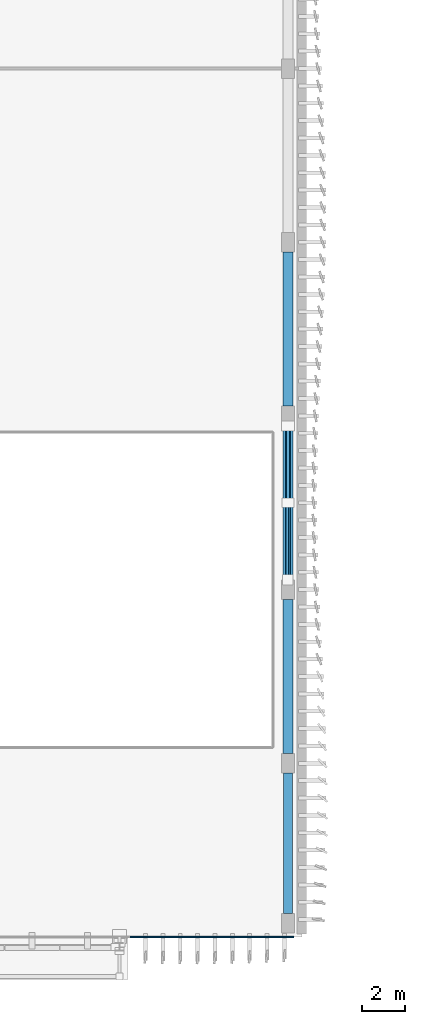
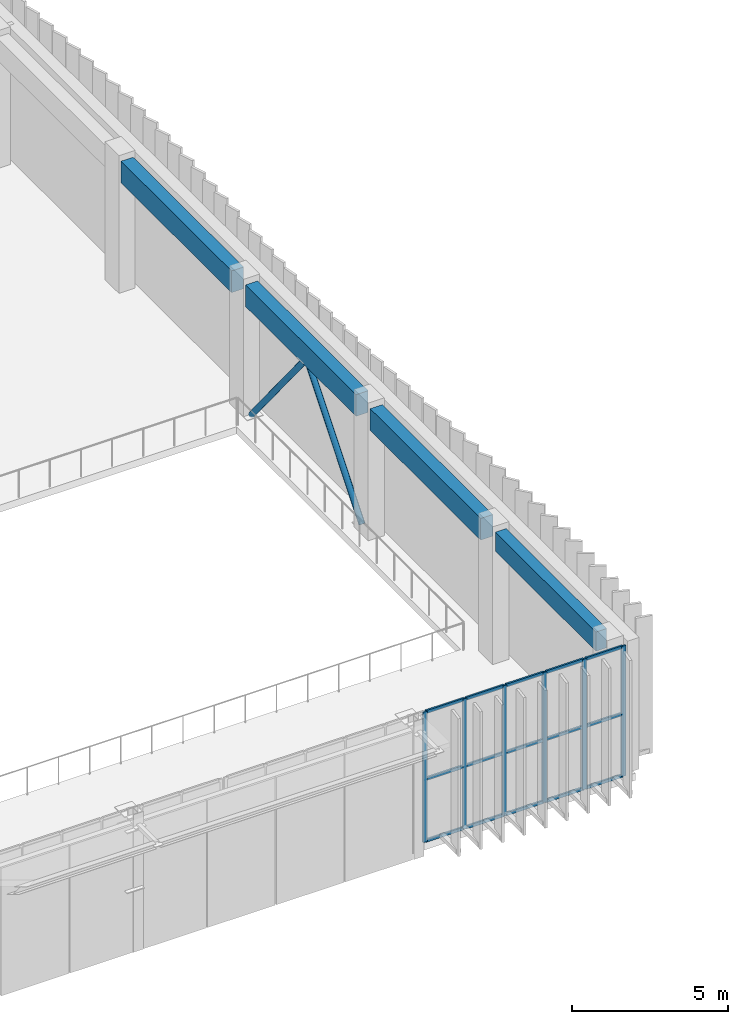
# One storey, part 7 of 64: 23 members, 4 beams, 1 element without a shape of its own.
"""IFC4 building model written with IfcOpenShell, lengths in metres."""

import ifcopenshell
import ifcopenshell.guid

model = None  # the IFC model being written
_history = None  # IfcOwnerHistory: only IFC2X3 demands one
_inside = {}  # id of a spatial element -> (the spatial element, [elements in it])
_under = {}  # id of a project, library or spatial element -> (it, [spatial elements below it])
_declared = {}  # id of a project -> (the project, [libraries it declares])
_typed = {}  # id of a type object -> (the type object, [elements of that type])
_made_of = {}  # id of a material, layer set ... -> (it, [elements and type objects made of it])


def new_model(schema):
    """Start an empty IFC model of exactly this schema.

    Asked for "IFC4X3", IfcOpenShell would pick the latest addendum, in which some entities
    have other attributes; the version numbers below select the first issue.
    IFC2X3 requires an IfcOwnerHistory on every rooted entity: one is made here for all.
    """
    global model, _history
    if schema == "IFC4X3":
        model = ifcopenshell.file(schema_version=(4, 3, 0, 0))
    else:
        model = ifcopenshell.file(schema=schema)
    _inside.clear()
    _under.clear()
    _declared.clear()
    _typed.clear()
    _made_of.clear()
    _history = None
    if model.schema == "IFC2X3":
        org = make("IfcOrganization", Name="unknown")
        user = make(
            "IfcPersonAndOrganization",
            ThePerson=make("IfcPerson", FamilyName="unknown"),
            TheOrganization=org,
        )
        app = make(
            "IfcApplication",
            ApplicationDeveloper=org,
            Version="unknown",
            ApplicationFullName="unknown",
            ApplicationIdentifier="unknown",
        )
        _history = make(
            "IfcOwnerHistory",
            OwningUser=user,
            OwningApplication=app,
            ChangeAction="ADDED",
            CreationDate=0,
        )
    return model


def make(cls, **values):
    """One entity of the class cls with the attributes given. An attribute that is None is left unset."""
    return model.create_entity(
        cls, **{name: value for name, value in values.items() if value is not None}
    )


def rooted(cls, **values):
    """An entity with a GlobalId (a new one), such as an element, a storey or a relation."""
    return make(cls, GlobalId=ifcopenshell.guid.new(), OwnerHistory=_history, **values)


def si_unit(unit_type, name, prefix=None):
    """IfcSIUnit, for example si_unit("LENGTHUNIT", "METRE", prefix="MILLI")."""
    return make("IfcSIUnit", UnitType=unit_type, Prefix=prefix, Name=name)


def assignment(units):
    """IfcUnitAssignment: the units of a project."""
    return None if units is None else make("IfcUnitAssignment", Units=units)


def point(xyz):
    """IfcCartesianPoint."""
    return None if xyz is None else make("IfcCartesianPoint", Coordinates=xyz)


def direction(xyz):
    """IfcDirection."""
    return None if xyz is None else make("IfcDirection", DirectionRatios=xyz)


def frame(location, z_axis=None, x_axis=None):
    """IfcAxis2Placement3D, a coordinate frame: its origin and axes. An axis left out is left unset."""
    return make(
        "IfcAxis2Placement3D",
        Location=point(location),
        Axis=direction(z_axis),
        RefDirection=direction(x_axis),
    )


def frame_2d(location, x_axis=None):
    """IfcAxis2Placement2D, a coordinate frame in the plane: its origin and x axis."""
    return make(
        "IfcAxis2Placement2D", Location=point(location), RefDirection=direction(x_axis)
    )


def origin():
    """The frame at (0, 0, 0) with its axes left unset."""
    return frame((0.0, 0.0, 0.0))


def origin_2d():
    """The frame at (0, 0) in the plane with its x axis left unset."""
    return frame_2d((0.0, 0.0))


def place(relative_to, where):
    """IfcLocalPlacement: puts the frame where relative to a parent placement (None: the world)."""
    return make(
        "IfcLocalPlacement", PlacementRelTo=relative_to, RelativePlacement=where
    )


def context(
    kind, dimensions, precision=None, world=None, true_north=None, identifier=None
):
    """IfcGeometricRepresentationContext, for example the 3D "Model" context."""
    return make(
        "IfcGeometricRepresentationContext",
        ContextIdentifier=identifier,
        ContextType=kind,
        CoordinateSpaceDimension=dimensions,
        Precision=precision,
        WorldCoordinateSystem=world,
        TrueNorth=true_north,
    )


def subcontext(parent, identifier, kind, view, scale=None):
    """IfcGeometricRepresentationSubContext, for example "Body" below "Model"."""
    return make(
        "IfcGeometricRepresentationSubContext",
        ContextIdentifier=identifier,
        ContextType=kind,
        ParentContext=parent,
        TargetScale=scale,
        TargetView=view,
    )


def project(units=None, contexts=None):
    """IfcProject with its units and contexts."""
    return rooted(
        "IfcProject",
        Name="project",
        RepresentationContexts=contexts,
        UnitsInContext=assignment(units),
    )


def spatial(cls, under=None, at=None, **own):
    """A site, building, storey or space (cls), placed at a placement, below another one or the project."""
    s = rooted(cls, ObjectPlacement=at, **own)
    if under is not None:
        _under.setdefault(under.id(), (under, []))[1].append(s)
    return s


def profile(cls, at=None, kind="AREA", **sizes):
    """A parametric profile (cls). Its sizes go by their IFC names, for example OverallWidth=200.0."""
    return make(cls, ProfileType=kind, Position=at, **sizes)


def rectangle(**sizes):
    """IfcRectangleProfileDef."""
    return profile("IfcRectangleProfileDef", **sizes)


def hollow_circle(**sizes):
    """IfcCircleHollowProfileDef."""
    return profile("IfcCircleHollowProfileDef", **sizes)


def extrude(swept, where, along, depth):
    """IfcExtrudedAreaSolid: the profile swept, set in the frame where, extruded along a direction by depth."""
    return make(
        "IfcExtrudedAreaSolid",
        SweptArea=swept,
        Position=where,
        ExtrudedDirection=direction(along),
        Depth=depth,
    )


def shape(context_of_items, identifier, shape_type, items):
    """IfcShapeRepresentation: the items that make up one representation, for example the "Body"."""
    return make(
        "IfcShapeRepresentation",
        ContextOfItems=context_of_items,
        RepresentationIdentifier=identifier,
        RepresentationType=shape_type,
        Items=items,
    )


def material(Name=None, Category=None):
    """IfcMaterial."""
    return make("IfcMaterial", Name=Name, Category=Category)


def layer(
    of_material, thickness, ventilated=None, Name=None, Category=None, Priority=None
):
    """IfcMaterialLayer: one layer of a wall or slab, of a material (None: an air gap)."""
    return make(
        "IfcMaterialLayer",
        Material=of_material,
        LayerThickness=thickness,
        IsVentilated=ventilated,
        Name=Name,
        Category=Category,
        Priority=Priority,
    )


def layer_set(layers, Name=None):
    """IfcMaterialLayerSet."""
    return make("IfcMaterialLayerSet", MaterialLayers=layers, LayerSetName=Name)


def material_profile(
    of_material, cross_section, Name=None, Category=None, Priority=None
):
    """IfcMaterialProfile: a cross section and its material."""
    return make(
        "IfcMaterialProfile",
        Name=Name,
        Material=of_material,
        Profile=cross_section,
        Priority=Priority,
        Category=Category,
    )


def profile_set(profiles, Name=None, composite=None):
    """IfcMaterialProfileSet."""
    return make(
        "IfcMaterialProfileSet",
        Name=Name,
        MaterialProfiles=profiles,
        CompositeProfile=composite,
    )


def made_of(thing, what):
    """Note that an element or type object is made of a material, layer set ...; save() writes the relation."""
    if what is not None:
        _made_of.setdefault(what.id(), (what, []))[1].append(thing)
    return thing


def type_object(cls, material=None, **own):
    """A type object (cls), such as IfcWallType, which elements share."""
    return made_of(rooted(cls, **own), material)


def element(
    cls,
    number,
    at=None,
    inside=None,
    cuts=None,
    type_object=None,
    material=None,
    context=None,
    identifier="Body",
    shape_type=None,
    held_by="IfcProductDefinitionShape",
    body=None,
    shapes=None,
    **own,
):
    """One element of the class cls, such as IfcWall. Its Tag is "e" and its number.

    at: its placement. inside: the storey or other place that contains it. cuts: it is an
    opening in that element (IfcRelVoidsElement). A single representation is given by context,
    identifier, shape_type and body (its items); several are given by shapes. held_by: the class
    of the entity that holds the representations. save() writes the other relations.
    """
    e = rooted(cls, Tag="e%d" % number, ObjectPlacement=at, **own)
    if body is not None:
        shapes = [shape(context, identifier, shape_type, body)]
    if shapes is not None:
        e.Representation = make(held_by, Representations=shapes)
    if inside is not None:
        _inside.setdefault(inside.id(), (inside, []))[1].append(e)
    if cuts is not None:
        rooted(
            "IfcRelVoidsElement", RelatingBuildingElement=cuts, RelatedOpeningElement=e
        )
    if type_object is not None:
        _typed.setdefault(type_object.id(), (type_object, []))[1].append(e)
    return made_of(e, material)


def aggregate(whole, parts):
    """IfcRelAggregates: a whole, such as a stair, and the parts it consists of."""
    return rooted("IfcRelAggregates", RelatingObject=whole, RelatedObjects=parts)


def save(model, path):
    """Write the relations noted so far, then the file.

    IfcRelAggregates (storeys below a building ...), IfcRelContainedInSpatialStructure (elements
    in a storey), IfcRelDefinesByType, IfcRelAssociatesMaterial and IfcRelDeclares: one each for
    every whole, place, type object, material and project.
    """
    for whole, parts in _under.values():
        aggregate(whole, parts)
    for where, things in _inside.values():
        rooted(
            "IfcRelContainedInSpatialStructure",
            RelatedElements=things,
            RelatingStructure=where,
        )
    for kind, things in _typed.values():
        rooted("IfcRelDefinesByType", RelatedObjects=things, RelatingType=kind)
    for what, things in _made_of.values():
        rooted("IfcRelAssociatesMaterial", RelatedObjects=things, RelatingMaterial=what)
    for by, libraries in _declared.values():
        rooted("IfcRelDeclares", RelatingContext=by, RelatedDefinitions=libraries)
    model.write(path)


model = new_model("IFC4")

# Units and contexts
model_context = context("Model", 3, precision=1e-05, world=origin(), true_north=direction((0.0, 1.0)))
body_context = subcontext(model_context, "Body", "Model", "MODEL_VIEW")
ifc_project = project(units=[si_unit("LENGTHUNIT", "METRE"), si_unit("AREAUNIT", "SQUARE_METRE"), si_unit("VOLUMEUNIT", "CUBIC_METRE"), si_unit("PLANEANGLEUNIT", "RADIAN"), si_unit("MASSUNIT", "GRAM", prefix="KILO")], contexts=[model_context])

# Site, building, storey
site_placement = place(None, origin())
site = spatial("IfcSite", under=ifc_project, at=site_placement, CompositionType="ELEMENT")
building_placement = place(site_placement, origin())
building = spatial("IfcBuilding", under=site, at=building_placement, Name="Cinchona Park Media Centre", CompositionType="ELEMENT")
storey_placement = place(building_placement, frame((0.0, 0.0, 10.199951171875)))
storey = spatial("IfcBuildingStorey", under=building, at=storey_placement, Name="L02", CompositionType="ELEMENT", Elevation=10.199951171875)

# Beams
ifc_material_1 = material(Name="Concrete C35/45", Category="concrete")
ifc_material_profile_1 = material_profile(ifc_material_1, rectangle(XDim=0.39990234375, YDim=0.75, at=origin_2d()), Name="RB 400X750")
ifc_profile_set_1 = profile_set([ifc_material_profile_1], Name="Concrete C35/45")
beam_type_1 = type_object("IfcBeamType", Name="BEAM-B01-RB400X750", PredefinedType="BEAM", material=ifc_profile_set_1)
beam_placement = place(storey_placement, frame((45.360107421875, 8.68994140625, 4.78515625), z_axis=(0.0, 1.0, 0.0), x_axis=(-1.0, 0.0, 0.0)))
element("IfcBeam", 1, at=beam_placement, inside=storey, type_object=beam_type_1, Name="Girder B01 L02", PredefinedType="BEAM", context=body_context, shape_type="SweptSolid", body=[
    extrude(rectangle(XDim=0.39990234375, YDim=0.75, at=origin_2d()), origin(), (0.0, 0.0, 1.0), 6.4599609375),
])
ifc_material_2 = material(Name="Concrete C35/45", Category="concrete")
ifc_material_profile_2 = material_profile(ifc_material_2, rectangle(XDim=0.449951171875, YDim=0.85009765625, at=origin_2d()), Name="RB 450X850")
ifc_profile_set_2 = profile_set([ifc_material_profile_2], Name="Concrete C35/45")
beam_type_2 = type_object("IfcBeamType", Name="BEAM-B02-RB450X850", PredefinedType="BEAM", material=ifc_profile_set_2)
for number, where, z_axis, x_axis, name in (
    (2, (45.360107421875, 16.050048828125, 4.735107421875), (0.0, 1.0, 0.0), (-1.0, 0.0, 0.0), "Girder B02 L02"),
    (3, (45.360107421875, 24.050048828125, 4.735107421875), (0.0, 1.0, 0.0), (-1.0, 0.0, 0.0), "Girder B02 L02"),
    (4, (45.360107421875, 32.050048828125, 4.735107421875), (0.0, 1.0, 0.0), (-1.0, 0.0, 0.0), "Girder B02 L02"),
):
    element("IfcBeam", number, at=place(storey_placement, frame(where, z_axis=z_axis, x_axis=x_axis)), inside=storey, type_object=beam_type_2, Name=name, PredefinedType="BEAM", context=body_context, shape_type="SweptSolid", body=[
        extrude(rectangle(XDim=0.449951171875, YDim=0.85009765625, at=origin_2d()), origin(), (0.0, 0.0, 1.0), 7.099853515625),
    ])

# Members
ifc_material_3 = material(Name="Steel S355", Category="steel")
ifc_material_profile_3 = material_profile(ifc_material_3, hollow_circle(Radius=0.109619140625, WallThickness=0.012451171875, at=origin_2d()), Name="219.1X12.5CHS")
ifc_profile_set_3 = profile_set([ifc_material_profile_3], Name="Steel S355")
member_type_1 = type_object("IfcMemberType", Name="MEMBER-BR02-CHS219.1X12.5", PredefinedType="BRACE", material=ifc_profile_set_3)
for number, where, z_axis, x_axis, name in (
    (5, (45.360107421875, 24.054931640625, 0.005126953125), (0.0, 0.631315792695, 0.775525866683), (-1.0, 0.0, 0.0), "Vertical Chevron Brace BR02 L02"),
    (6, (45.360107421875, 31.14501953125, 0.005126953125), (0.0, -0.631289643364, 0.775547152777), (1.0, 0.0, 0.0), "Vertical Chevron Brace BR02 L02"),
):
    element("IfcMember", number, at=place(storey_placement, frame(where, z_axis=z_axis, x_axis=x_axis)), inside=storey, type_object=member_type_1, Name=name, PredefinedType="BRACE", context=body_context, shape_type="SweptSolid", body=[
        extrude(hollow_circle(Radius=0.109619140625, WallThickness=0.012451171875, at=origin_2d()), origin(), (0.0, 0.0, 1.0), 5.615478515625),
    ])

# Curtain wall, members
ifc_material_4 = material(Name="Aluminium Curtain Wall Framing", Category="aluminium")
ifc_layer = layer(ifc_material_4, 0.27001953125)
ifc_layer_set = layer_set([ifc_layer], Name="Aluminium Curtain Wall Framing")
curtain_wall_type = type_object("IfcCurtainWallType", Name="CW-CW07", PredefinedType="USERDEFINED", material=ifc_layer_set)
curtain_wall_placement = place(storey_placement, origin())
curtain_wall = element("IfcCurtainWall", 7, at=curtain_wall_placement, inside=storey, type_object=curtain_wall_type, Name="Curtain Wall CW07 L02", ObjectType="UNITISED CURTAIN WALL", PredefinedType="USERDEFINED")
ifc_material_5 = material(Name="Anodised Aluminium Alloy 6063-T6", Category="aluminium")
ifc_material_profile_4 = material_profile(ifc_material_5, rectangle(XDim=0.06494140625, YDim=0.159912109375, at=origin_2d()), Name="MUL-65X160")
ifc_profile_set_4 = profile_set([ifc_material_profile_4], Name="Anodised Aluminium Alloy 6063-T6")
member_type_2 = type_object("IfcMemberType", Name="MULLION-MUL01", PredefinedType="MULLION", material=ifc_profile_set_4)
member_1_placement = place(storey_placement, frame((45.547607421875, 7.60009765625, 0.050048828125), z_axis=(0.0, 0.0, 1.0), x_axis=(0.0, -1.0, 0.0)))
member_1 = element("IfcMember", 8, at=member_1_placement, type_object=member_type_2, Name="CW07 mullion 1", PredefinedType="MULLION", context=body_context, shape_type="SweptSolid", body=[
    extrude(rectangle(XDim=0.06494140625, YDim=0.159912109375, at=origin_2d()), origin(), (0.0, 0.0, 1.0), 5.110107421875),
])
member_2_placement = place(storey_placement, frame((44.10009765625, 7.60009765625, 0.050048828125), z_axis=(0.0, 0.0, 1.0), x_axis=(0.0, -1.0, 0.0)))
member_2 = element("IfcMember", 9, at=member_2_placement, type_object=member_type_2, Name="CW07 mullion 2", PredefinedType="MULLION", context=body_context, shape_type="SweptSolid", body=[
    extrude(rectangle(XDim=0.06494140625, YDim=0.159912109375, at=origin_2d()), origin(), (0.0, 0.0, 1.0), 5.110107421875),
])
member_3_placement = place(storey_placement, frame((42.6201171875, 7.60009765625, 0.050048828125), z_axis=(0.0, 0.0, 1.0), x_axis=(0.0, -1.0, 0.0)))
member_3 = element("IfcMember", 10, at=member_3_placement, type_object=member_type_2, Name="CW07 mullion 3", PredefinedType="MULLION", context=body_context, shape_type="SweptSolid", body=[
    extrude(rectangle(XDim=0.06494140625, YDim=0.159912109375, at=origin_2d()), origin(), (0.0, 0.0, 1.0), 5.110107421875),
])
member_4_placement = place(storey_placement, frame((41.139892578125, 7.60009765625, 0.050048828125), z_axis=(0.0, 0.0, 1.0), x_axis=(0.0, -1.0, 0.0)))
member_4 = element("IfcMember", 11, at=member_4_placement, type_object=member_type_2, Name="CW07 mullion 4", PredefinedType="MULLION", context=body_context, shape_type="SweptSolid", body=[
    extrude(rectangle(XDim=0.06494140625, YDim=0.159912109375, at=origin_2d()), origin(), (0.0, 0.0, 1.0), 5.110107421875),
])
member_5_placement = place(storey_placement, frame((39.659912109375, 7.60009765625, 0.050048828125), z_axis=(0.0, 0.0, 1.0), x_axis=(0.0, -1.0, 0.0)))
member_5 = element("IfcMember", 12, at=member_5_placement, type_object=member_type_2, Name="CW07 mullion 5", PredefinedType="MULLION", context=body_context, shape_type="SweptSolid", body=[
    extrude(rectangle(XDim=0.06494140625, YDim=0.159912109375, at=origin_2d()), origin(), (0.0, 0.0, 1.0), 5.110107421875),
])
member_6_placement = place(storey_placement, frame((38.179931640625, 7.60009765625, 0.050048828125), z_axis=(0.0, 0.0, 1.0), x_axis=(0.0, -1.0, 0.0)))
member_6 = element("IfcMember", 13, at=member_6_placement, type_object=member_type_2, Name="CW07 mullion 6", PredefinedType="MULLION", context=body_context, shape_type="SweptSolid", body=[
    extrude(rectangle(XDim=0.06494140625, YDim=0.159912109375, at=origin_2d()), origin(), (0.0, 0.0, 1.0), 5.110107421875),
])
ifc_material_6 = material(Name="Anodised Aluminium Alloy 6063-T6", Category="aluminium")
ifc_material_profile_5 = material_profile(ifc_material_6, rectangle(XDim=0.06494140625, YDim=0.1201171875, at=origin_2d()), Name="TRN-65X120")
ifc_profile_set_5 = profile_set([ifc_material_profile_5], Name="Anodised Aluminium Alloy 6063-T6")
member_type_3 = type_object("IfcMemberType", Name="TRANSOM-TRN01", PredefinedType="USERDEFINED", material=ifc_profile_set_5)
member_7_placement = place(storey_placement, frame((45.514892578125, 7.60009765625, 0.08251953125), z_axis=(-1.0, 0.0, 0.0), x_axis=(0.0, -1.0, 0.0)))
member_7 = element("IfcMember", 14, at=member_7_placement, type_object=member_type_3, Name="CW07 transom 1.1", ObjectType="TRANSOM", PredefinedType="USERDEFINED", context=body_context, shape_type="SweptSolid", body=[
    extrude(rectangle(XDim=0.06494140625, YDim=0.1201171875, at=origin_2d()), origin(), (0.0, 0.0, 1.0), 1.38232421875),
])
member_8_placement = place(storey_placement, frame((45.514892578125, 7.60009765625, 2.5029296875), z_axis=(-1.0, 0.0, 0.0), x_axis=(0.0, -1.0, 0.0)))
member_8 = element("IfcMember", 15, at=member_8_placement, type_object=member_type_3, Name="CW07 transom 1.2", ObjectType="TRANSOM", PredefinedType="USERDEFINED", context=body_context, shape_type="SweptSolid", body=[
    extrude(rectangle(XDim=0.06494140625, YDim=0.1201171875, at=origin_2d()), origin(), (0.0, 0.0, 1.0), 1.38232421875),
])
member_9_placement = place(storey_placement, frame((45.514892578125, 7.60009765625, 5.12744140625), z_axis=(-1.0, 0.0, 0.0), x_axis=(0.0, -1.0, 0.0)))
member_9 = element("IfcMember", 16, at=member_9_placement, type_object=member_type_3, Name="CW07 transom 1.3", ObjectType="TRANSOM", PredefinedType="USERDEFINED", context=body_context, shape_type="SweptSolid", body=[
    extrude(rectangle(XDim=0.06494140625, YDim=0.1201171875, at=origin_2d()), origin(), (0.0, 0.0, 1.0), 1.38232421875),
])
member_10_placement = place(storey_placement, frame((44.0673828125, 7.60009765625, 0.08251953125), z_axis=(-1.0, 0.0, 0.0), x_axis=(0.0, -1.0, 0.0)))
member_10 = element("IfcMember", 17, at=member_10_placement, type_object=member_type_3, Name="CW07 transom 2.1", ObjectType="TRANSOM", PredefinedType="USERDEFINED", context=body_context, shape_type="SweptSolid", body=[
    extrude(rectangle(XDim=0.06494140625, YDim=0.1201171875, at=origin_2d()), origin(), (0.0, 0.0, 1.0), 1.414794921875),
])
member_11_placement = place(storey_placement, frame((44.0673828125, 7.60009765625, 2.5029296875), z_axis=(-1.0, 0.0, 0.0), x_axis=(0.0, -1.0, 0.0)))
member_11 = element("IfcMember", 18, at=member_11_placement, type_object=member_type_3, Name="CW07 transom 2.2", ObjectType="TRANSOM", PredefinedType="USERDEFINED", context=body_context, shape_type="SweptSolid", body=[
    extrude(rectangle(XDim=0.06494140625, YDim=0.1201171875, at=origin_2d()), origin(), (0.0, 0.0, 1.0), 1.414794921875),
])
member_12_placement = place(storey_placement, frame((44.0673828125, 7.60009765625, 5.12744140625), z_axis=(-1.0, 0.0, 0.0), x_axis=(0.0, -1.0, 0.0)))
member_12 = element("IfcMember", 19, at=member_12_placement, type_object=member_type_3, Name="CW07 transom 2.3", ObjectType="TRANSOM", PredefinedType="USERDEFINED", context=body_context, shape_type="SweptSolid", body=[
    extrude(rectangle(XDim=0.06494140625, YDim=0.1201171875, at=origin_2d()), origin(), (0.0, 0.0, 1.0), 1.414794921875),
])
member_13_placement = place(storey_placement, frame((42.58740234375, 7.60009765625, 0.08251953125), z_axis=(-1.0, 0.0, 0.0), x_axis=(0.0, -1.0, 0.0)))
member_13 = element("IfcMember", 20, at=member_13_placement, type_object=member_type_3, Name="CW07 transom 3.1", ObjectType="TRANSOM", PredefinedType="USERDEFINED", context=body_context, shape_type="SweptSolid", body=[
    extrude(rectangle(XDim=0.06494140625, YDim=0.1201171875, at=origin_2d()), origin(), (0.0, 0.0, 1.0), 1.414794921875),
])
member_14_placement = place(storey_placement, frame((42.58740234375, 7.60009765625, 2.5029296875), z_axis=(-1.0, 0.0, 0.0), x_axis=(0.0, -1.0, 0.0)))
member_14 = element("IfcMember", 21, at=member_14_placement, type_object=member_type_3, Name="CW07 transom 3.2", ObjectType="TRANSOM", PredefinedType="USERDEFINED", context=body_context, shape_type="SweptSolid", body=[
    extrude(rectangle(XDim=0.06494140625, YDim=0.1201171875, at=origin_2d()), origin(), (0.0, 0.0, 1.0), 1.414794921875),
])
member_15_placement = place(storey_placement, frame((42.58740234375, 7.60009765625, 5.12744140625), z_axis=(-1.0, 0.0, 0.0), x_axis=(0.0, -1.0, 0.0)))
member_15 = element("IfcMember", 22, at=member_15_placement, type_object=member_type_3, Name="CW07 transom 3.3", ObjectType="TRANSOM", PredefinedType="USERDEFINED", context=body_context, shape_type="SweptSolid", body=[
    extrude(rectangle(XDim=0.06494140625, YDim=0.1201171875, at=origin_2d()), origin(), (0.0, 0.0, 1.0), 1.414794921875),
])
member_16_placement = place(storey_placement, frame((41.107421875, 7.60009765625, 0.08251953125), z_axis=(-1.0, 0.0, 0.0), x_axis=(0.0, -1.0, 0.0)))
member_16 = element("IfcMember", 23, at=member_16_placement, type_object=member_type_3, Name="CW07 transom 4.1", ObjectType="TRANSOM", PredefinedType="USERDEFINED", context=body_context, shape_type="SweptSolid", body=[
    extrude(rectangle(XDim=0.06494140625, YDim=0.1201171875, at=origin_2d()), origin(), (0.0, 0.0, 1.0), 1.4150390625),
])
member_17_placement = place(storey_placement, frame((41.107421875, 7.60009765625, 2.5029296875), z_axis=(-1.0, 0.0, 0.0), x_axis=(0.0, -1.0, 0.0)))
member_17 = element("IfcMember", 24, at=member_17_placement, type_object=member_type_3, Name="CW07 transom 4.2", ObjectType="TRANSOM", PredefinedType="USERDEFINED", context=body_context, shape_type="SweptSolid", body=[
    extrude(rectangle(XDim=0.06494140625, YDim=0.1201171875, at=origin_2d()), origin(), (0.0, 0.0, 1.0), 1.4150390625),
])
member_18_placement = place(storey_placement, frame((41.107421875, 7.60009765625, 5.12744140625), z_axis=(-1.0, 0.0, 0.0), x_axis=(0.0, -1.0, 0.0)))
member_18 = element("IfcMember", 25, at=member_18_placement, type_object=member_type_3, Name="CW07 transom 4.3", ObjectType="TRANSOM", PredefinedType="USERDEFINED", context=body_context, shape_type="SweptSolid", body=[
    extrude(rectangle(XDim=0.06494140625, YDim=0.1201171875, at=origin_2d()), origin(), (0.0, 0.0, 1.0), 1.4150390625),
])
member_19_placement = place(storey_placement, frame((39.62744140625, 7.60009765625, 0.08251953125), z_axis=(-1.0, 0.0, 0.0), x_axis=(0.0, -1.0, 0.0)))
member_19 = element("IfcMember", 26, at=member_19_placement, type_object=member_type_3, Name="CW07 transom 5.1", ObjectType="TRANSOM", PredefinedType="USERDEFINED", context=body_context, shape_type="SweptSolid", body=[
    extrude(rectangle(XDim=0.06494140625, YDim=0.1201171875, at=origin_2d()), origin(), (0.0, 0.0, 1.0), 1.4150390625),
])
member_20_placement = place(storey_placement, frame((39.62744140625, 7.60009765625, 2.5029296875), z_axis=(-1.0, 0.0, 0.0), x_axis=(0.0, -1.0, 0.0)))
member_20 = element("IfcMember", 27, at=member_20_placement, type_object=member_type_3, Name="CW07 transom 5.2", ObjectType="TRANSOM", PredefinedType="USERDEFINED", context=body_context, shape_type="SweptSolid", body=[
    extrude(rectangle(XDim=0.06494140625, YDim=0.1201171875, at=origin_2d()), origin(), (0.0, 0.0, 1.0), 1.4150390625),
])
member_21_placement = place(storey_placement, frame((39.62744140625, 7.60009765625, 5.12744140625), z_axis=(-1.0, 0.0, 0.0), x_axis=(0.0, -1.0, 0.0)))
member_21 = element("IfcMember", 28, at=member_21_placement, type_object=member_type_3, Name="CW07 transom 5.3", ObjectType="TRANSOM", PredefinedType="USERDEFINED", context=body_context, shape_type="SweptSolid", body=[
    extrude(rectangle(XDim=0.06494140625, YDim=0.1201171875, at=origin_2d()), origin(), (0.0, 0.0, 1.0), 1.4150390625),
])
aggregate(curtain_wall, [member_1, member_2, member_3, member_4, member_5, member_6, member_7, member_8, member_9, member_10, member_11, member_12, member_13, member_14, member_15, member_16, member_17, member_18, member_19, member_20, member_21])

save(model, "model.ifc")
